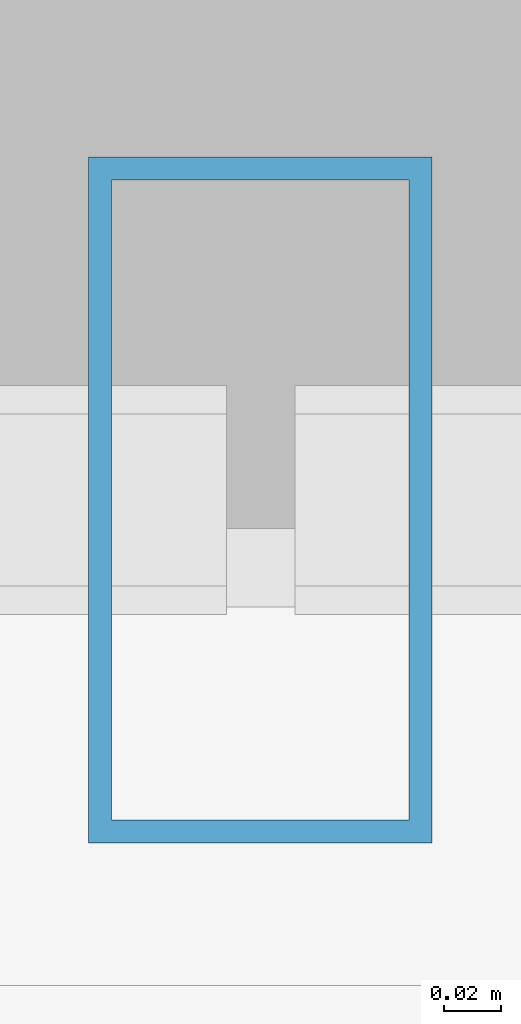
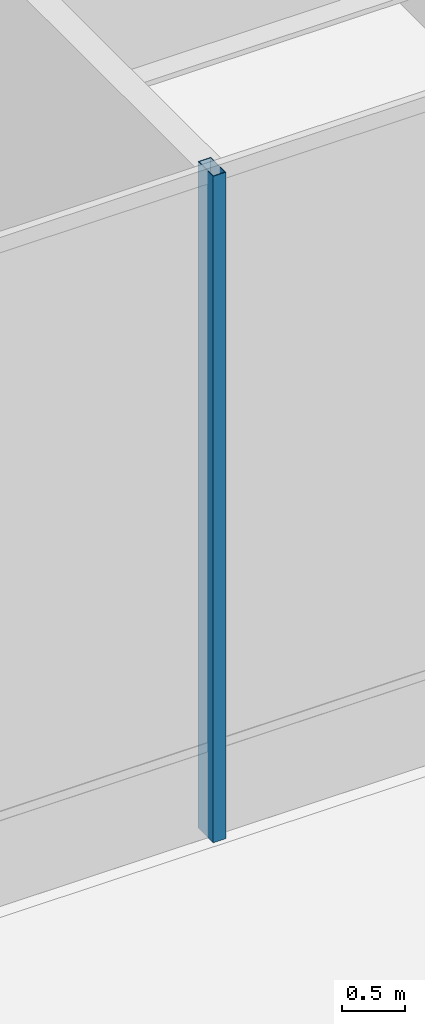
# One storey, part 6 of 25: 1 member, 1 element without a shape of its own.
"""IFC4 building model written with IfcOpenShell, lengths in metres."""

from ifc_helpers import new_model, si_unit, direction, frame, origin, origin_2d, place, context, subcontext, project, spatial, hollow_rectangle, extrude, material, layer, layer_set, material_profile, profile_set, type_object, element, aggregate, save


model = new_model("IFC4")

# Units and contexts
model_context = context("Model", 3, precision=1e-05, world=origin(), true_north=direction((0.0, 1.0)))
body_context = subcontext(model_context, "Body", "Model", "MODEL_VIEW")
ifc_project = project(units=[si_unit("LENGTHUNIT", "METRE"), si_unit("AREAUNIT", "SQUARE_METRE"), si_unit("VOLUMEUNIT", "CUBIC_METRE"), si_unit("PLANEANGLEUNIT", "RADIAN"), si_unit("MASSUNIT", "GRAM", prefix="KILO")], contexts=[model_context])

# Site, building, storey
site_placement = place(None, origin())
site = spatial("IfcSite", under=ifc_project, at=site_placement, CompositionType="ELEMENT")
building_placement = place(site_placement, origin())
building = spatial("IfcBuilding", under=site, at=building_placement, Name="Tavrogorsk Clinical Tower", CompositionType="ELEMENT")
storey_placement = place(building_placement, frame((0.0, 0.0, 333.0)))
storey = spatial("IfcBuildingStorey", under=building, at=storey_placement, Name="L78", CompositionType="ELEMENT", Elevation=333.0)

# Curtain wall, member
ifc_material_1 = material(Name="Anodised aluminium and triple IGU glazing", Category="aluminium")
ifc_layer = layer(ifc_material_1, 0.179931640625)
ifc_layer_set = layer_set([ifc_layer], Name="Anodised aluminium and triple IGU glazing")
curtain_wall_type = type_object("IfcCurtainWallType", Name="CW6_TmdLantern", PredefinedType="NOTDEFINED", material=ifc_layer_set)
curtain_wall_placement = place(storey_placement, origin())
curtain_wall = element("IfcCurtainWall", 1, at=curtain_wall_placement, inside=storey, type_object=curtain_wall_type, Name="L78 Curtain Wall CW-L78-TMD-8", PredefinedType="NOTDEFINED")
ifc_material_2 = material(Name="Anodised aluminium alloy AW-6060", Category="aluminium")
ifc_material_profile = material_profile(ifc_material_2, hollow_rectangle(XDim=0.1201171875, YDim=0.239990234375, WallThickness=0.008056640625, at=origin_2d()), Name="RHS-240x120x8")
ifc_profile_set = profile_set([ifc_material_profile], Name="Anodised aluminium alloy AW-6060")
member_type = type_object("IfcMemberType", Name="CwMullion_240x120", PredefinedType="MULLION", material=ifc_profile_set)
member_placement = place(storey_placement, frame((-0.00048828125, -18.22998046875, 0.0), z_axis=(0.0, 0.0, 1.0), x_axis=(-1.0, 0.0, 0.0)))
member = element("IfcMember", 2, at=member_placement, type_object=member_type, Name="CW-L78-TMD-8 Mullion 3", PredefinedType="MULLION", context=body_context, shape_type="SweptSolid", body=[
    extrude(hollow_rectangle(XDim=0.1201171875, YDim=0.239990234375, WallThickness=0.008056640625, at=origin_2d()), origin(), (0.0, 0.0, 1.0), 6.5),
])
aggregate(curtain_wall, [member])

save(model, "model.ifc")
